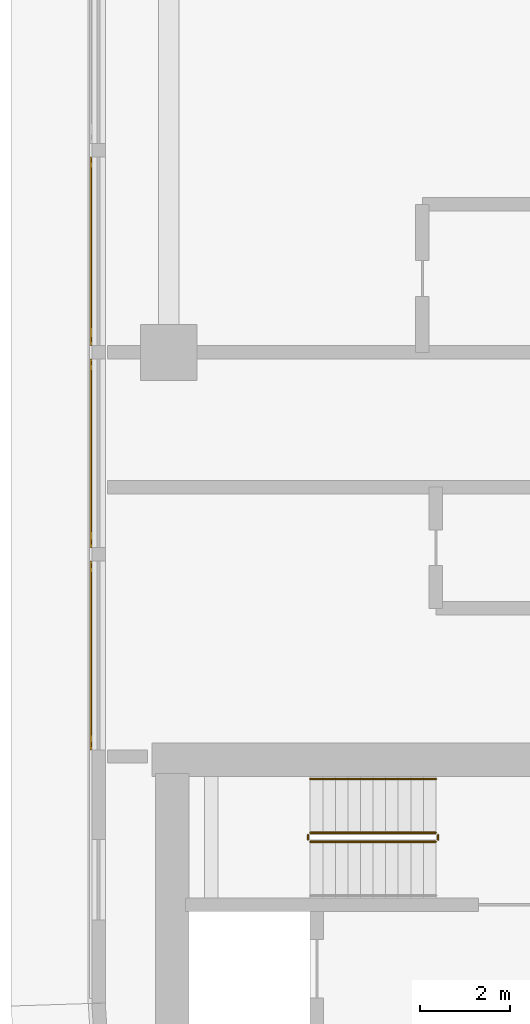
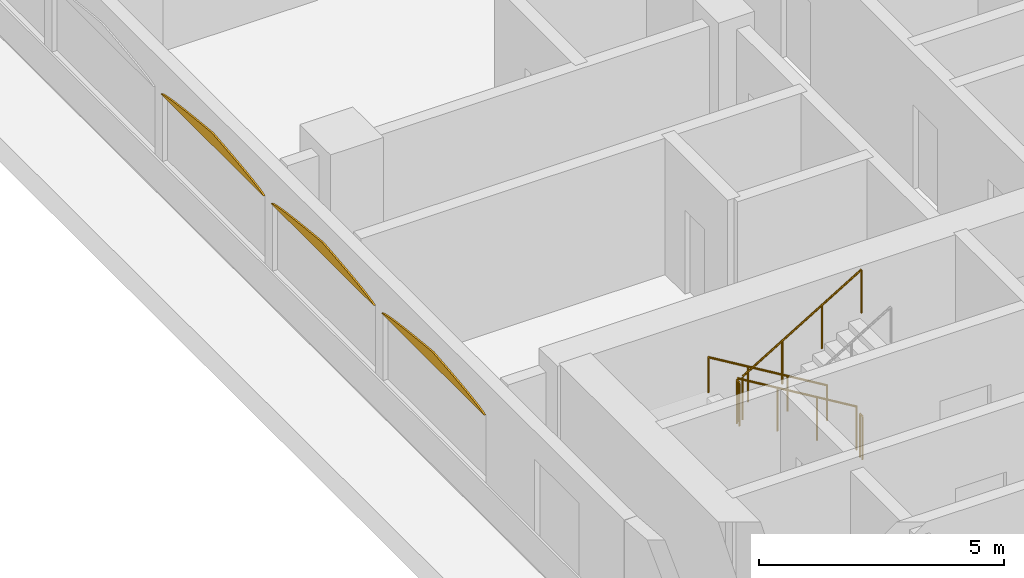
# One storey, part 18 of 25: 5 railings, 3 coverings.
"""IFC4 building model written with IfcOpenShell, lengths in metres."""

from ifc_helpers import new_model, si_unit, direction, frame, origin, origin_2d, place, context, subcontext, project, spatial, polyline, circle, outline, extrude, material, layer, layer_set, type_object, element, save


model = new_model("IFC4")

# Units and contexts
model_context = context("Model", 3, precision=1e-05, world=origin(), true_north=direction((0.0, 1.0)))
body_context = subcontext(model_context, "Body", "Model", "MODEL_VIEW")
ifc_project = project(units=[si_unit("LENGTHUNIT", "METRE"), si_unit("AREAUNIT", "SQUARE_METRE"), si_unit("VOLUMEUNIT", "CUBIC_METRE"), si_unit("PLANEANGLEUNIT", "RADIAN"), si_unit("MASSUNIT", "GRAM", prefix="KILO")], contexts=[model_context])

# Site, building, storey
site_placement = place(None, origin())
site = spatial("IfcSite", under=ifc_project, at=site_placement, CompositionType="ELEMENT")
building_placement = place(site_placement, origin())
building = spatial("IfcBuilding", under=site, at=building_placement, Name="Ogive Portal Towers", CompositionType="ELEMENT")
storey_placement = place(building_placement, frame((0.0, 0.0, 124.10009765625)))
storey = spatial("IfcBuildingStorey", under=building, at=storey_placement, Name="L30", CompositionType="ELEMENT", Elevation=124.10009765625)

# Railings
ifc_material_1 = material(Name="Stainless steel balustrade", Category="steel")
railing_type_1 = type_object("IfcRailingType", Name="INT-GUARD", PredefinedType="GUARDRAIL", material=ifc_material_1)
railing_1_placement = place(storey_placement, frame((37.449951171875, 37.800048828125, 0.16796875)))
element("IfcRailing", 1, at=railing_1_placement, inside=storey, type_object=railing_type_1, Name="L30 ST-A1 stair guard 1", PredefinedType="GUARDRAIL", context=body_context, shape_type="SweptSolid", body=[
    extrude(circle(Radius=0.02392578125, at=origin_2d()), frame((0.0, 0.0, 1.076171875), z_axis=(-0.857242210791, 0.0, 0.514913383045), x_axis=(0.0, -1.0, 0.0)), (0.0, 0.0, 1.0), 3.266357421875),
    extrude(circle(Radius=0.02099609375, at=origin_2d()), origin(), (0.0, 0.0, 1.0), 1.052001953125),
    extrude(circle(Radius=0.02099609375, at=origin_2d()), frame((-0.933349609375, 0.0, 0.560546875)), (0.0, 0.0, 1.0), 1.052001953125),
    extrude(circle(Radius=0.02099609375, at=origin_2d()), frame((-1.86669921875, 0.0, 1.121337890625)), (0.0, 0.0, 1.0), 1.052001953125),
    extrude(circle(Radius=0.02099609375, at=origin_2d()), frame((-2.800048828125, 0.0, 1.681884765625)), (0.0, 0.0, 1.0), 1.052001953125),
])
railing_2_placement = place(storey_placement, frame((34.60009765625, 37.75, 1.849853515625)))
element("IfcRailing", 2, at=railing_2_placement, inside=storey, type_object=railing_type_1, Name="L30 ST-A1 stair guard 2", PredefinedType="GUARDRAIL", context=body_context, shape_type="SweptSolid", body=[
    extrude(circle(Radius=0.02392578125, at=origin_2d()), frame((0.0, 0.0, 1.076171875), z_axis=(0.0, -1.0, 0.0), x_axis=(1.0, 0.0, 0.0)), (0.0, 0.0, 1.0), 0.10009765625),
    extrude(circle(Radius=0.02099609375, at=origin_2d()), origin(), (0.0, 0.0, 1.0), 1.052001953125),
    extrude(circle(Radius=0.02099609375, at=origin_2d()), frame((0.0, -0.10009765625, 0.0)), (0.0, 0.0, 1.0), 1.052001953125),
])
railing_3_placement = place(storey_placement, frame((34.64990234375, 37.60009765625, 2.01806640625)))
element("IfcRailing", 3, at=railing_3_placement, inside=storey, type_object=railing_type_1, Name="L30 ST-A1 stair guard 3", PredefinedType="GUARDRAIL", context=body_context, shape_type="SweptSolid", body=[
    extrude(circle(Radius=0.02392578125, at=origin_2d()), frame((0.0, 0.0, 1.076171875), z_axis=(0.857242210791, 0.0, 0.514913383045), x_axis=(0.0, 1.0, 0.0)), (0.0, 0.0, 1.0), 3.266357421875),
    extrude(circle(Radius=0.02099609375, at=origin_2d()), origin(), (0.0, 0.0, 1.0), 1.052001953125),
    extrude(circle(Radius=0.02099609375, at=origin_2d()), frame((0.933349609375, 0.0, 0.560546875)), (0.0, 0.0, 1.0), 1.052001953125),
    extrude(circle(Radius=0.02099609375, at=origin_2d()), frame((1.86669921875, 0.0, 1.121337890625)), (0.0, 0.0, 1.0), 1.052001953125),
    extrude(circle(Radius=0.02099609375, at=origin_2d()), frame((2.800048828125, 0.0, 1.681884765625)), (0.0, 0.0, 1.0), 1.052001953125),
])
railing_4_placement = place(storey_placement, frame((37.5, 37.75, 0.0)))
element("IfcRailing", 4, at=railing_4_placement, inside=storey, type_object=railing_type_1, Name="L30 ST-A1 stair guard 4", PredefinedType="GUARDRAIL", context=body_context, shape_type="SweptSolid", body=[
    extrude(circle(Radius=0.02392578125, at=origin_2d()), frame((0.0, 0.0, 1.076171875), z_axis=(0.0, -1.0, 0.0), x_axis=(1.0, 0.0, 0.0)), (0.0, 0.0, 1.0), 0.10009765625),
    extrude(circle(Radius=0.02099609375, at=origin_2d()), origin(), (0.0, 0.0, 1.0), 1.052001953125),
    extrude(circle(Radius=0.02099609375, at=origin_2d()), frame((0.0, -0.10009765625, 0.0)), (0.0, 0.0, 1.0), 1.052001953125),
])
ifc_material_2 = material(Name="Stainless steel handrail", Category="steel")
railing_type_2 = type_object("IfcRailingType", Name="INT-HANDRAIL", PredefinedType="HANDRAIL", material=ifc_material_2)
railing_5_placement = place(storey_placement, frame((37.449951171875, 39.0, 0.16796875)))
element("IfcRailing", 5, at=railing_5_placement, inside=storey, type_object=railing_type_2, Name="L30 ST-A1 stair handrail 1", PredefinedType="HANDRAIL", context=body_context, shape_type="SweptSolid", body=[
    extrude(circle(Radius=0.02392578125, at=origin_2d()), frame((0.0, 0.0, 0.8759765625), z_axis=(-0.857242210791, 0.0, 0.514913383045), x_axis=(0.0, -1.0, 0.0)), (0.0, 0.0, 1.0), 3.266357421875),
    extrude(circle(Radius=0.02099609375, at=origin_2d()), origin(), (0.0, 0.0, 1.0), 0.851806640625),
    extrude(circle(Radius=0.02099609375, at=origin_2d()), frame((-0.933349609375, 0.0, 0.560546875)), (0.0, 0.0, 1.0), 0.851806640625),
    extrude(circle(Radius=0.02099609375, at=origin_2d()), frame((-1.86669921875, 0.0, 1.121337890625)), (0.0, 0.0, 1.0), 0.851806640625),
    extrude(circle(Radius=0.02099609375, at=origin_2d()), frame((-2.800048828125, 0.0, 1.681884765625)), (0.0, 0.0, 1.0), 0.851806640625),
])

# Coverings
ifc_material_3 = material(Name="Limestone cladding on lightweight block wall", Category="masonry")
ifc_layer = layer(ifc_material_3, 0.0400390625)
ifc_layer_set = layer_set([ifc_layer], Name="LANCET HEAD STONE")
covering_type = type_object("IfcCoveringType", Name="LANCET HEAD STONE", PredefinedType="CLADDING", material=ifc_layer_set)
for number, where, z_axis, x_axis, name in (
    (6, (29.784912109375, 52.85009765625, 2.599853515625), (0.999955602034, 0.0, 0.009423054701), (0.0, -1.0, 0.0), "Lancet head"),
    (7, (29.784912109375, 48.35009765625, 2.599853515625), (0.999955602034, 0.0, 0.009423054701), (0.0, -1.0, 0.0), "Lancet head"),
    (8, (29.784912109375, 43.85009765625, 2.599853515625), (0.999955602034, 0.0, 0.009423054701), (0.0, -1.0, 0.0), "Lancet head"),
):
    element("IfcCovering", number, at=place(storey_placement, frame(where, z_axis=z_axis, x_axis=x_axis)), inside=storey, type_object=covering_type, Name=name, PredefinedType="CLADDING", context=body_context, shape_type="SweptSolid", body=[
        extrude(outline(polyline([(0.0, 0.0), (4.2001953125, 0.0), (4.107177734375, -0.037598287541017614), (3.9375, -0.07495474584684635), (3.7177734375, -0.11255303338786396), (3.45751953125, -0.15015362147934563), (3.162353515625, -0.1875077792347103), (2.836181640625, -0.22510836732619197), (2.481201171875, -0.2624625250815566), (2.10009765625, -0.30006311317303835), (1.718994140625, -0.2624625250815566), (1.364013671875, -0.22510836732619197), (1.037841796875, -0.1875077792347103), (0.74267578125, -0.15015362147934563), (0.482421875, -0.11255303338786396), (0.2626953125, -0.07495474584684635), (0.093017578125, -0.037598287541017614), (0.0, 0.0)])), origin(), (0.0, 0.0, -1.0), 0.0400390625),
    ])

save(model, "model.ifc")
